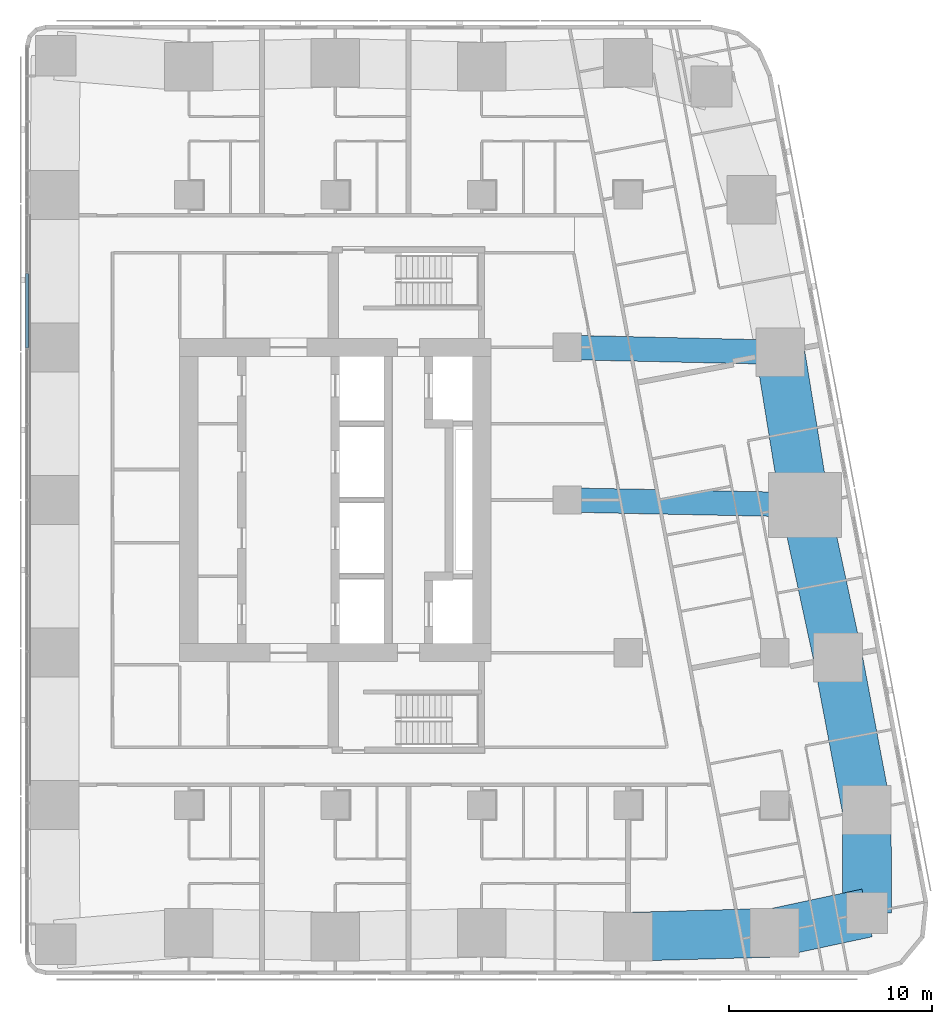
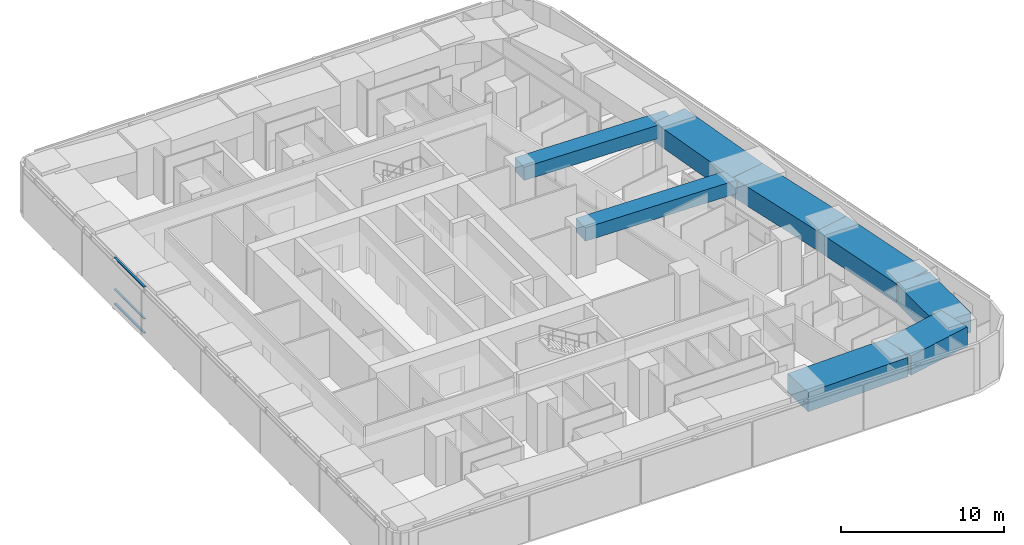
# One storey, part 4 of 17: 8 beams, 3 members, 1 element without a shape of its own.
"""IFC4 building model written with IfcOpenShell, lengths in metres."""

import ifcopenshell
import ifcopenshell.guid

model = None  # the IFC model being written
_history = None  # IfcOwnerHistory: only IFC2X3 demands one
_inside = {}  # id of a spatial element -> (the spatial element, [elements in it])
_under = {}  # id of a project, library or spatial element -> (it, [spatial elements below it])
_declared = {}  # id of a project -> (the project, [libraries it declares])
_typed = {}  # id of a type object -> (the type object, [elements of that type])
_made_of = {}  # id of a material, layer set ... -> (it, [elements and type objects made of it])


def new_model(schema):
    """Start an empty IFC model of exactly this schema.

    Asked for "IFC4X3", IfcOpenShell would pick the latest addendum, in which some entities
    have other attributes; the version numbers below select the first issue.
    IFC2X3 requires an IfcOwnerHistory on every rooted entity: one is made here for all.
    """
    global model, _history
    if schema == "IFC4X3":
        model = ifcopenshell.file(schema_version=(4, 3, 0, 0))
    else:
        model = ifcopenshell.file(schema=schema)
    _inside.clear()
    _under.clear()
    _declared.clear()
    _typed.clear()
    _made_of.clear()
    _history = None
    if model.schema == "IFC2X3":
        org = make("IfcOrganization", Name="unknown")
        user = make(
            "IfcPersonAndOrganization",
            ThePerson=make("IfcPerson", FamilyName="unknown"),
            TheOrganization=org,
        )
        app = make(
            "IfcApplication",
            ApplicationDeveloper=org,
            Version="unknown",
            ApplicationFullName="unknown",
            ApplicationIdentifier="unknown",
        )
        _history = make(
            "IfcOwnerHistory",
            OwningUser=user,
            OwningApplication=app,
            ChangeAction="ADDED",
            CreationDate=0,
        )
    return model


def make(cls, **values):
    """One entity of the class cls with the attributes given. An attribute that is None is left unset."""
    return model.create_entity(
        cls, **{name: value for name, value in values.items() if value is not None}
    )


def rooted(cls, **values):
    """An entity with a GlobalId (a new one), such as an element, a storey or a relation."""
    return make(cls, GlobalId=ifcopenshell.guid.new(), OwnerHistory=_history, **values)


def si_unit(unit_type, name, prefix=None):
    """IfcSIUnit, for example si_unit("LENGTHUNIT", "METRE", prefix="MILLI")."""
    return make("IfcSIUnit", UnitType=unit_type, Prefix=prefix, Name=name)


def assignment(units):
    """IfcUnitAssignment: the units of a project."""
    return None if units is None else make("IfcUnitAssignment", Units=units)


def point(xyz):
    """IfcCartesianPoint."""
    return None if xyz is None else make("IfcCartesianPoint", Coordinates=xyz)


def direction(xyz):
    """IfcDirection."""
    return None if xyz is None else make("IfcDirection", DirectionRatios=xyz)


def frame(location, z_axis=None, x_axis=None):
    """IfcAxis2Placement3D, a coordinate frame: its origin and axes. An axis left out is left unset."""
    return make(
        "IfcAxis2Placement3D",
        Location=point(location),
        Axis=direction(z_axis),
        RefDirection=direction(x_axis),
    )


def frame_2d(location, x_axis=None):
    """IfcAxis2Placement2D, a coordinate frame in the plane: its origin and x axis."""
    return make(
        "IfcAxis2Placement2D", Location=point(location), RefDirection=direction(x_axis)
    )


def origin():
    """The frame at (0, 0, 0) with its axes left unset."""
    return frame((0.0, 0.0, 0.0))


def origin_2d():
    """The frame at (0, 0) in the plane with its x axis left unset."""
    return frame_2d((0.0, 0.0))


def place(relative_to, where):
    """IfcLocalPlacement: puts the frame where relative to a parent placement (None: the world)."""
    return make(
        "IfcLocalPlacement", PlacementRelTo=relative_to, RelativePlacement=where
    )


def context(
    kind, dimensions, precision=None, world=None, true_north=None, identifier=None
):
    """IfcGeometricRepresentationContext, for example the 3D "Model" context."""
    return make(
        "IfcGeometricRepresentationContext",
        ContextIdentifier=identifier,
        ContextType=kind,
        CoordinateSpaceDimension=dimensions,
        Precision=precision,
        WorldCoordinateSystem=world,
        TrueNorth=true_north,
    )


def subcontext(parent, identifier, kind, view, scale=None):
    """IfcGeometricRepresentationSubContext, for example "Body" below "Model"."""
    return make(
        "IfcGeometricRepresentationSubContext",
        ContextIdentifier=identifier,
        ContextType=kind,
        ParentContext=parent,
        TargetScale=scale,
        TargetView=view,
    )


def project(units=None, contexts=None):
    """IfcProject with its units and contexts."""
    return rooted(
        "IfcProject",
        Name="project",
        RepresentationContexts=contexts,
        UnitsInContext=assignment(units),
    )


def spatial(cls, under=None, at=None, **own):
    """A site, building, storey or space (cls), placed at a placement, below another one or the project."""
    s = rooted(cls, ObjectPlacement=at, **own)
    if under is not None:
        _under.setdefault(under.id(), (under, []))[1].append(s)
    return s


def profile(cls, at=None, kind="AREA", **sizes):
    """A parametric profile (cls). Its sizes go by their IFC names, for example OverallWidth=200.0."""
    return make(cls, ProfileType=kind, Position=at, **sizes)


def rectangle(**sizes):
    """IfcRectangleProfileDef."""
    return profile("IfcRectangleProfileDef", **sizes)


def extrude(swept, where, along, depth):
    """IfcExtrudedAreaSolid: the profile swept, set in the frame where, extruded along a direction by depth."""
    return make(
        "IfcExtrudedAreaSolid",
        SweptArea=swept,
        Position=where,
        ExtrudedDirection=direction(along),
        Depth=depth,
    )


def shape(context_of_items, identifier, shape_type, items):
    """IfcShapeRepresentation: the items that make up one representation, for example the "Body"."""
    return make(
        "IfcShapeRepresentation",
        ContextOfItems=context_of_items,
        RepresentationIdentifier=identifier,
        RepresentationType=shape_type,
        Items=items,
    )


def material(Name=None, Category=None):
    """IfcMaterial."""
    return make("IfcMaterial", Name=Name, Category=Category)


def material_profile(
    of_material, cross_section, Name=None, Category=None, Priority=None
):
    """IfcMaterialProfile: a cross section and its material."""
    return make(
        "IfcMaterialProfile",
        Name=Name,
        Material=of_material,
        Profile=cross_section,
        Priority=Priority,
        Category=Category,
    )


def profile_set(profiles, Name=None, composite=None):
    """IfcMaterialProfileSet."""
    return make(
        "IfcMaterialProfileSet",
        Name=Name,
        MaterialProfiles=profiles,
        CompositeProfile=composite,
    )


def made_of(thing, what):
    """Note that an element or type object is made of a material, layer set ...; save() writes the relation."""
    if what is not None:
        _made_of.setdefault(what.id(), (what, []))[1].append(thing)
    return thing


def type_object(cls, material=None, **own):
    """A type object (cls), such as IfcWallType, which elements share."""
    return made_of(rooted(cls, **own), material)


def element(
    cls,
    number,
    at=None,
    inside=None,
    cuts=None,
    type_object=None,
    material=None,
    context=None,
    identifier="Body",
    shape_type=None,
    held_by="IfcProductDefinitionShape",
    body=None,
    shapes=None,
    **own,
):
    """One element of the class cls, such as IfcWall. Its Tag is "e" and its number.

    at: its placement. inside: the storey or other place that contains it. cuts: it is an
    opening in that element (IfcRelVoidsElement). A single representation is given by context,
    identifier, shape_type and body (its items); several are given by shapes. held_by: the class
    of the entity that holds the representations. save() writes the other relations.
    """
    e = rooted(cls, Tag="e%d" % number, ObjectPlacement=at, **own)
    if body is not None:
        shapes = [shape(context, identifier, shape_type, body)]
    if shapes is not None:
        e.Representation = make(held_by, Representations=shapes)
    if inside is not None:
        _inside.setdefault(inside.id(), (inside, []))[1].append(e)
    if cuts is not None:
        rooted(
            "IfcRelVoidsElement", RelatingBuildingElement=cuts, RelatedOpeningElement=e
        )
    if type_object is not None:
        _typed.setdefault(type_object.id(), (type_object, []))[1].append(e)
    return made_of(e, material)


def aggregate(whole, parts):
    """IfcRelAggregates: a whole, such as a stair, and the parts it consists of."""
    return rooted("IfcRelAggregates", RelatingObject=whole, RelatedObjects=parts)


def save(model, path):
    """Write the relations noted so far, then the file.

    IfcRelAggregates (storeys below a building ...), IfcRelContainedInSpatialStructure (elements
    in a storey), IfcRelDefinesByType, IfcRelAssociatesMaterial and IfcRelDeclares: one each for
    every whole, place, type object, material and project.
    """
    for whole, parts in _under.values():
        aggregate(whole, parts)
    for where, things in _inside.values():
        rooted(
            "IfcRelContainedInSpatialStructure",
            RelatedElements=things,
            RelatingStructure=where,
        )
    for kind, things in _typed.values():
        rooted("IfcRelDefinesByType", RelatedObjects=things, RelatingType=kind)
    for what, things in _made_of.values():
        rooted("IfcRelAssociatesMaterial", RelatedObjects=things, RelatingMaterial=what)
    for by, libraries in _declared.values():
        rooted("IfcRelDeclares", RelatingContext=by, RelatedDefinitions=libraries)
    model.write(path)


model = new_model("IFC4")

# Units and contexts
model_context = context("Model", 3, precision=1e-05, world=origin(), true_north=direction((0.0, 1.0)))
body_context = subcontext(model_context, "Body", "Model", "MODEL_VIEW")
ifc_project = project(units=[si_unit("LENGTHUNIT", "METRE"), si_unit("AREAUNIT", "SQUARE_METRE"), si_unit("VOLUMEUNIT", "CUBIC_METRE"), si_unit("PLANEANGLEUNIT", "RADIAN"), si_unit("MASSUNIT", "GRAM", prefix="KILO")], contexts=[model_context])

# Site, building, storey
site_placement = place(None, origin())
site = spatial("IfcSite", under=ifc_project, at=site_placement, CompositionType="ELEMENT")
building_placement = place(site_placement, origin())
building = spatial("IfcBuilding", under=site, at=building_placement, Name="Sheger Commons Tower", CompositionType="ELEMENT")
storey_placement = place(building_placement, frame((0.0, 0.0, 212.449951171875)))
storey = spatial("IfcBuildingStorey", under=building, at=storey_placement, Name="L54", CompositionType="ELEMENT", Elevation=212.449951171875)

# Beams
ifc_material_1 = material(Name="Concrete C50/60", Category="concrete")
ifc_material_profile_1 = material_profile(ifc_material_1, rectangle(XDim=1.199951171875, YDim=1.0, at=origin_2d()), Name="RC 1200x1000")
ifc_profile_set_1 = profile_set([ifc_material_profile_1], Name="Concrete C50/60")
beam_type_1 = type_object("IfcBeamType", Name="BEAM RC 1200x1000", PredefinedType="BEAM", material=ifc_profile_set_1)
beam_1_placement = place(storey_placement, frame((33.0, 22.5, 3.0), z_axis=(0.999794692776, -0.02026258368, 0.0), x_axis=(0.02026258368, 0.999794692776, 0.0)))
element("IfcBeam", 1, at=beam_1_placement, inside=storey, type_object=beam_type_1, Name="Beam 6-3000/D-7/D under L55", PredefinedType="BEAM", context=body_context, shape_type="SweptSolid", body=[
    extrude(rectangle(XDim=1.199951171875, YDim=1.0, at=origin_2d()), origin(), (0.0, 0.0, 1.0), 11.699462890625),
])
beam_2_placement = place(storey_placement, frame((33.0, 30.0, 3.0), z_axis=(0.999744258625, -0.022614538395, 0.0), x_axis=(0.022614538395, 0.999744258625, 0.0)))
element("IfcBeam", 2, at=beam_2_placement, inside=storey, type_object=beam_type_1, Name="Beam 6-3000/E-E/E under L55", PredefinedType="BEAM", context=body_context, shape_type="SweptSolid", body=[
    extrude(rectangle(XDim=1.199951171875, YDim=1.0, at=origin_2d()), origin(), (0.0, 0.0, 1.0), 10.482666015625),
])
ifc_material_2 = material(Name="Concrete C50/60", Category="concrete")
ifc_material_profile_2 = material_profile(ifc_material_2, rectangle(XDim=2.39990234375, YDim=1.449951171875, at=origin_2d()), Name="RC 2400x1450")
ifc_profile_set_2 = profile_set([ifc_material_profile_2], Name="Concrete C50/60")
beam_type_2 = type_object("IfcBeamType", Name="SPANDREL RC 2400x1450", PredefinedType="SPANDREL", material=ifc_profile_set_2)
beam_3_placement = place(storey_placement, frame((36.0, 1.02490234375, 2.775146484375), z_axis=(0.9996136624, 0.027794350926, 0.0), x_axis=(-0.027794350926, 0.9996136624, 0.0)))
element("IfcBeam", 3, at=beam_3_placement, inside=storey, type_object=beam_type_2, Name="Beam 6/A-7/A under L55", PredefinedType="SPANDREL", context=body_context, shape_type="SweptSolid", body=[
    extrude(rectangle(XDim=2.39990234375, YDim=1.449951171875, at=origin_2d()), origin(), (0.0, 0.0, 1.0), 7.20263671875),
])
beam_4_placement = place(storey_placement, frame((43.199951171875, 1.22509765625, 2.775146484375), z_axis=(0.977919796671, 0.208980552394, 0.0), x_axis=(-0.208980552394, 0.977919796671, 0.0)))
element("IfcBeam", 4, at=beam_4_placement, inside=storey, type_object=beam_type_2, Name="Beam 7/A-49.461,0.778 under L55", PredefinedType="SPANDREL", context=body_context, shape_type="SweptSolid", body=[
    extrude(rectangle(XDim=2.39990234375, YDim=1.449951171875, at=origin_2d()), origin(), (0.0, 0.0, 1.0), 4.65087890625),
])
beam_5_placement = place(storey_placement, frame((47.748046875, 2.197021484375, 2.775146484375), z_axis=(-0.003566242382, 0.999993640937, 0.0), x_axis=(-0.999993640937, -0.003566242382, 0.0)))
element("IfcBeam", 5, at=beam_5_placement, inside=storey, type_object=beam_type_2, Name="Beam 49.461,0.778-E/B under L55", PredefinedType="SPANDREL", context=body_context, shape_type="SweptSolid", body=[
    extrude(rectangle(XDim=2.39990234375, YDim=1.449951171875, at=origin_2d()), origin(), (0.0, 0.0, 1.0), 5.06591796875),
])
beam_6_placement = place(storey_placement, frame((47.72998046875, 7.262939453125, 2.775146484375), z_axis=(-0.18552441405, 0.982639655108, 0.0), x_axis=(-0.982639655108, -0.18552441405, 0.0)))
element("IfcBeam", 6, at=beam_6_placement, inside=storey, type_object=beam_type_2, Name="Beam E/B-E/C under L55", PredefinedType="SPANDREL", context=body_context, shape_type="SweptSolid", body=[
    extrude(rectangle(XDim=2.39990234375, YDim=1.449951171875, at=origin_2d()), origin(), (0.0, 0.0, 1.0), 7.632568359375),
])
beam_7_placement = place(storey_placement, frame((46.31396484375, 14.762939453125, 2.775146484375), z_axis=(-0.210750229323, 0.977539943348, 0.0), x_axis=(-0.977539943348, -0.210750229323, 0.0)))
element("IfcBeam", 7, at=beam_7_placement, inside=storey, type_object=beam_type_2, Name="Beam E/C-E/D under L55", PredefinedType="SPANDREL", context=body_context, shape_type="SweptSolid", body=[
    extrude(rectangle(XDim=2.39990234375, YDim=1.449951171875, at=origin_2d()), origin(), (0.0, 0.0, 1.0), 7.67236328125),
])
beam_8_placement = place(storey_placement, frame((44.697021484375, 22.262939453125, 2.775146484375), z_axis=(-0.160176929512, 0.987088319884, 0.0), x_axis=(-0.987088319884, -0.160176929512, 0.0)))
element("IfcBeam", 8, at=beam_8_placement, inside=storey, type_object=beam_type_2, Name="Beam E/D-E/E under L55", PredefinedType="SPANDREL", context=body_context, shape_type="SweptSolid", body=[
    extrude(rectangle(XDim=2.39990234375, YDim=1.449951171875, at=origin_2d()), origin(), (0.0, 0.0, 1.0), 7.59814453125),
])

# Curtain wall, members
ifc_material_3 = material(Name="Black aluminium curtain wall, dark tinted glazing", Category="aluminium")
curtain_wall_type = type_object("IfcCurtainWallType", Name="CURTAIN WALL CW4 GALLERY", PredefinedType="USERDEFINED", material=ifc_material_3)
curtain_wall_placement = place(storey_placement, origin())
curtain_wall = element("IfcCurtainWall", 9, at=curtain_wall_placement, inside=storey, type_object=curtain_wall_type, Name="Curtain Wall Cw4 Gallery W1 L54", ObjectType="UNITISED CURTAIN WALL", PredefinedType="USERDEFINED")
ifc_material_4 = material(Name="Black anodised aluminium", Category="aluminium")
ifc_material_profile_3 = material_profile(ifc_material_4, rectangle(XDim=0.14990234375, YDim=0.06494140625, at=origin_2d()), Name="AL 65x150")
ifc_profile_set_3 = profile_set([ifc_material_profile_3], Name="Black anodised aluminium")
member_type = type_object("IfcMemberType", Name="TRANSOM AL 65x150", PredefinedType="USERDEFINED", material=ifc_profile_set_3)
member_1_placement = place(storey_placement, frame((6.449951171875, 33.635498046875, 0.032470703125), z_axis=(0.0, -1.0, 0.0), x_axis=(1.0, 0.0, 0.0)))
member_1 = element("IfcMember", 10, at=member_1_placement, type_object=member_type, Name="CW4 transom 7.1", ObjectType="TRANSOM", PredefinedType="USERDEFINED", context=body_context, shape_type="SweptSolid", body=[
    extrude(rectangle(XDim=0.14990234375, YDim=0.06494140625, at=origin_2d()), origin(), (0.0, 0.0, 1.0), 3.656982421875),
])
member_2_placement = place(storey_placement, frame((6.449951171875, 33.635498046875, 1.10009765625), z_axis=(0.0, -1.0, 0.0), x_axis=(1.0, 0.0, 0.0)))
member_2 = element("IfcMember", 11, at=member_2_placement, type_object=member_type, Name="CW4 transom 7.2", ObjectType="TRANSOM", PredefinedType="USERDEFINED", context=body_context, shape_type="SweptSolid", body=[
    extrude(rectangle(XDim=0.14990234375, YDim=0.06494140625, at=origin_2d()), origin(), (0.0, 0.0, 1.0), 3.656982421875),
])
member_3_placement = place(storey_placement, frame((6.449951171875, 33.635498046875, 3.467529296875), z_axis=(0.0, -1.0, 0.0), x_axis=(1.0, 0.0, 0.0)))
member_3 = element("IfcMember", 12, at=member_3_placement, type_object=member_type, Name="CW4 transom 7.3", ObjectType="TRANSOM", PredefinedType="USERDEFINED", context=body_context, shape_type="SweptSolid", body=[
    extrude(rectangle(XDim=0.14990234375, YDim=0.06494140625, at=origin_2d()), origin(), (0.0, 0.0, 1.0), 3.656982421875),
])
aggregate(curtain_wall, [member_1, member_2, member_3])

save(model, "model.ifc")
